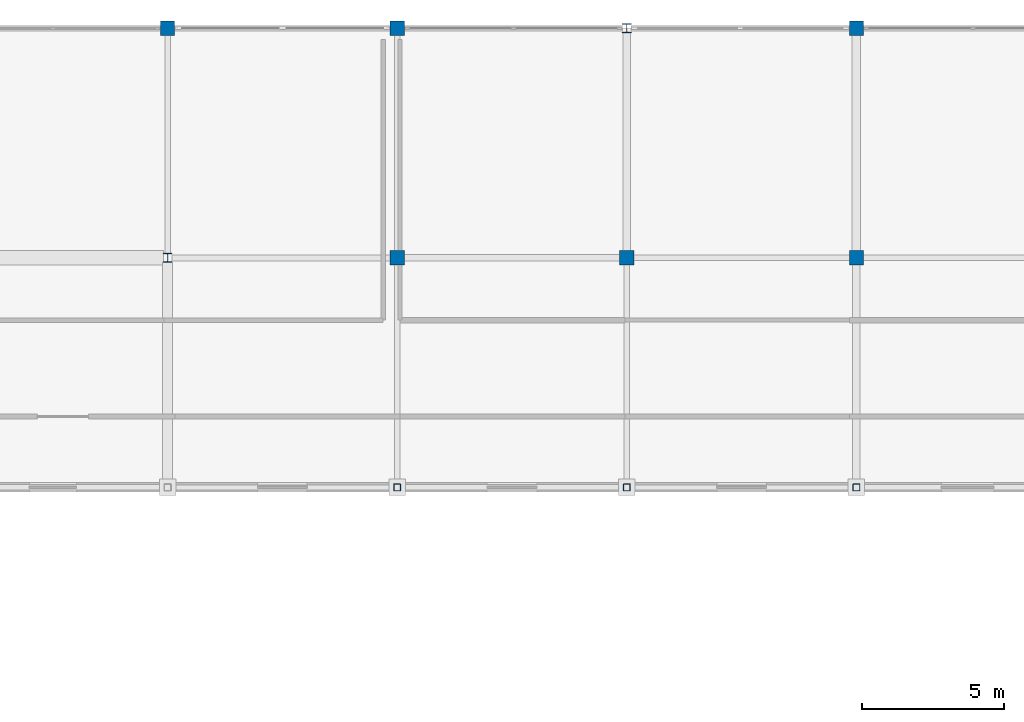
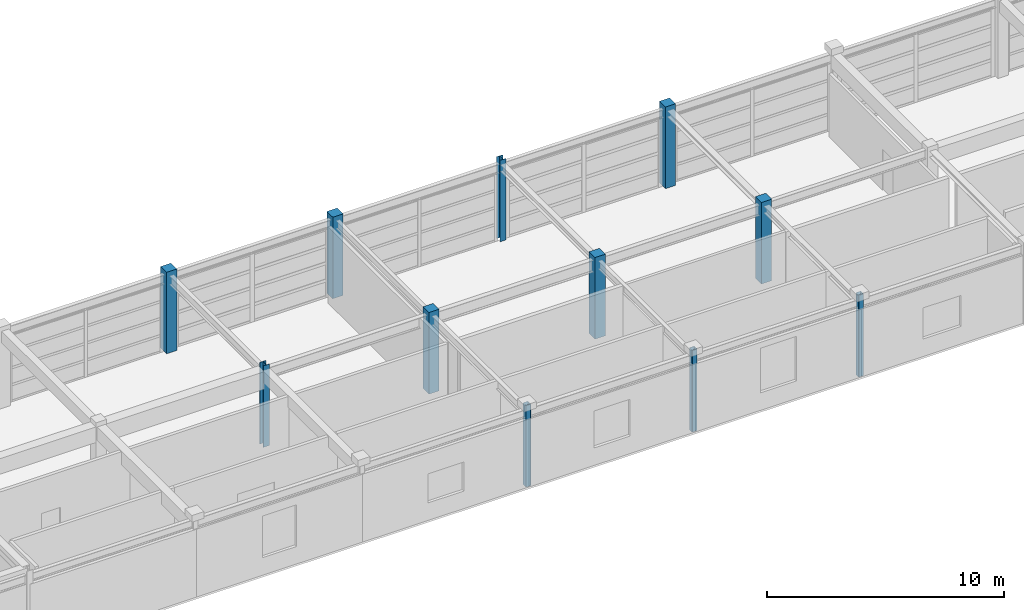
# One storey, part 2 of 19: 11 columns.
"""IFC4 building model written with IfcOpenShell, lengths in metres."""

from ifc_helpers import new_model, si_unit, direction, frame, origin, origin_2d, place, context, subcontext, project, spatial, rectangle, hollow_rectangle, i_section, extrude, material, material_profile, profile_set, type_object, element, save


model = new_model("IFC4")

# Units and contexts
model_context = context("Model", 3, precision=1e-05, world=origin(), true_north=direction((0.0, 1.0)))
body_context = subcontext(model_context, "Body", "Model", "MODEL_VIEW")
ifc_project = project(units=[si_unit("LENGTHUNIT", "METRE"), si_unit("AREAUNIT", "SQUARE_METRE"), si_unit("VOLUMEUNIT", "CUBIC_METRE"), si_unit("PLANEANGLEUNIT", "RADIAN"), si_unit("MASSUNIT", "GRAM", prefix="KILO")], contexts=[model_context])

# Site, building, storey
site_placement = place(None, origin())
site = spatial("IfcSite", under=ifc_project, at=site_placement, CompositionType="ELEMENT")
building_placement = place(site_placement, origin())
building = spatial("IfcBuilding", under=site, at=building_placement, Name="Parian Resonance Hall", CompositionType="ELEMENT")
storey_placement = place(building_placement, frame((0.0, 0.0, 23.39990234375)))
storey = spatial("IfcBuildingStorey", under=building, at=storey_placement, Name="L05", CompositionType="ELEMENT", Elevation=23.39990234375)

# Columns
ifc_material_1 = material(Name="Concrete C40/50", Category="concrete")
ifc_material_profile_1 = material_profile(ifc_material_1, rectangle(XDim=0.5, YDim=0.5, at=origin_2d()), Name="RC-COL-500x500")
ifc_profile_set_1 = profile_set([ifc_material_profile_1], Name="Concrete C40/50")
column_type_1 = type_object("IfcColumnType", Name="COL-RC500", PredefinedType="COLUMN", material=ifc_profile_set_1)
for number, where, z_axis, x_axis, name in (
    (1, (81.0, 89.10009765625, 0.0), (0.0, 0.0, 1.0), (1.0, 0.0, 0.0), "Column G11-12 L05"),
    (2, (89.10009765625, 81.0, 0.0), (0.0, 0.0, 1.0), (1.0, 0.0, 0.0), "Column G12-11 L05"),
    (3, (89.10009765625, 89.10009765625, 0.0), (0.0, 0.0, 1.0), (1.0, 0.0, 0.0), "Column G12-12 L05"),
    (4, (97.199951171875, 81.0, 0.0), (0.0, 0.0, 1.0), (1.0, 0.0, 0.0), "Column G13-11 L05"),
    (5, (105.300048828125, 81.0, 0.0), (0.0, 0.0, 1.0), (1.0, 0.0, 0.0), "Column G14-11 L05"),
    (6, (105.300048828125, 89.10009765625, 0.0), (0.0, 0.0, 1.0), (1.0, 0.0, 0.0), "Column G14-12 L05"),
):
    element("IfcColumn", number, at=place(storey_placement, frame(where, z_axis=z_axis, x_axis=x_axis)), inside=storey, type_object=column_type_1, Name=name, PredefinedType="COLUMN", context=body_context, shape_type="SweptSolid", body=[
        extrude(rectangle(XDim=0.5, YDim=0.5, at=origin_2d()), origin(), (0.0, 0.0, 1.0), 4.2001953125),
    ])
ifc_material_2 = material(Name="Hollow structural steel S355", Category="steel")
ifc_material_profile_2 = material_profile(ifc_material_2, hollow_rectangle(XDim=0.25, YDim=0.25, WallThickness=0.012451171875, InnerFilletRadius=0.012451171875, OuterFilletRadius=0.02490234375, at=origin_2d()), Name="SHS250x250x12.5")
ifc_profile_set_2 = profile_set([ifc_material_profile_2], Name="Hollow structural steel S355")
column_type_2 = type_object("IfcColumnType", Name="COL-SHS250", PredefinedType="COLUMN", material=ifc_profile_set_2)
for number, where, z_axis, x_axis, name in (
    (7, (89.10009765625, 72.89990234375, 0.0), (0.0, 0.0, 1.0), (1.0, 0.0, 0.0), "Column G12-10 L05"),
    (8, (97.199951171875, 72.89990234375, 0.0), (0.0, 0.0, 1.0), (1.0, 0.0, 0.0), "Column G13-10 L05"),
    (9, (105.300048828125, 72.89990234375, 0.0), (0.0, 0.0, 1.0), (1.0, 0.0, 0.0), "Column G14-10 L05"),
):
    element("IfcColumn", number, at=place(storey_placement, frame(where, z_axis=z_axis, x_axis=x_axis)), inside=storey, type_object=column_type_2, Name=name, PredefinedType="COLUMN", context=body_context, shape_type="SweptSolid", body=[
        extrude(hollow_rectangle(XDim=0.25, YDim=0.25, WallThickness=0.012451171875, InnerFilletRadius=0.012451171875, OuterFilletRadius=0.02490234375, at=origin_2d()), origin(), (0.0, 0.0, 1.0), 4.2001953125),
    ])
ifc_material_3 = material(Name="Steel S355", Category="steel")
ifc_material_profile_3 = material_profile(ifc_material_3, i_section(OverallWidth=0.304931640625, OverallDepth=0.30810546875, WebThickness=0.010009765625, FlangeThickness=0.015380859375, FilletRadius=0.01513671875, at=origin_2d()), Name="W310x97")
ifc_profile_set_3 = profile_set([ifc_material_profile_3], Name="Steel S355")
column_type_3 = type_object("IfcColumnType", Name="COL-W310", PredefinedType="COLUMN", material=ifc_profile_set_3)
for number, where, z_axis, x_axis, name in (
    (10, (81.0, 81.0, 0.0), (0.0, 0.0, 1.0), (1.0, 0.0, 0.0), "Column G11-11 L05"),
    (11, (97.199951171875, 89.10009765625, 0.0), (0.0, 0.0, 1.0), (1.0, 0.0, 0.0), "Column G13-12 L05"),
):
    element("IfcColumn", number, at=place(storey_placement, frame(where, z_axis=z_axis, x_axis=x_axis)), inside=storey, type_object=column_type_3, Name=name, PredefinedType="COLUMN", context=body_context, shape_type="SweptSolid", body=[
        extrude(i_section(OverallWidth=0.304931640625, OverallDepth=0.30810546875, WebThickness=0.010009765625, FlangeThickness=0.015380859375, FilletRadius=0.01513671875, at=origin_2d()), origin(), (0.0, 0.0, 1.0), 4.2001953125),
    ])

save(model, "model.ifc")
